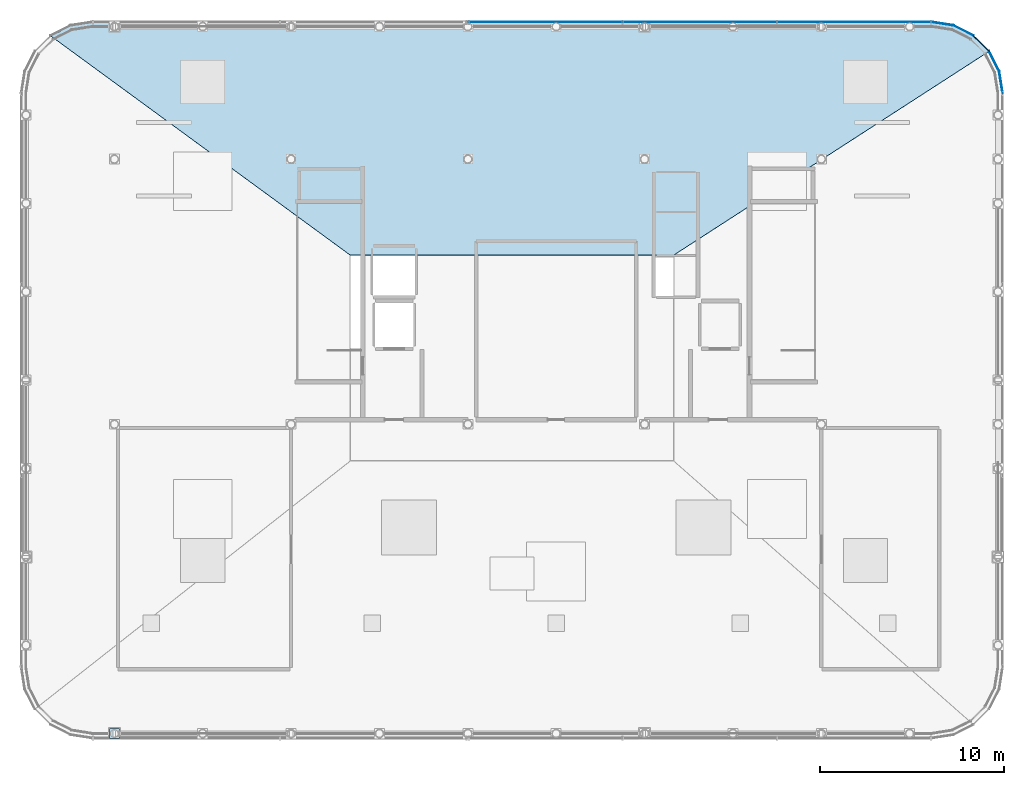
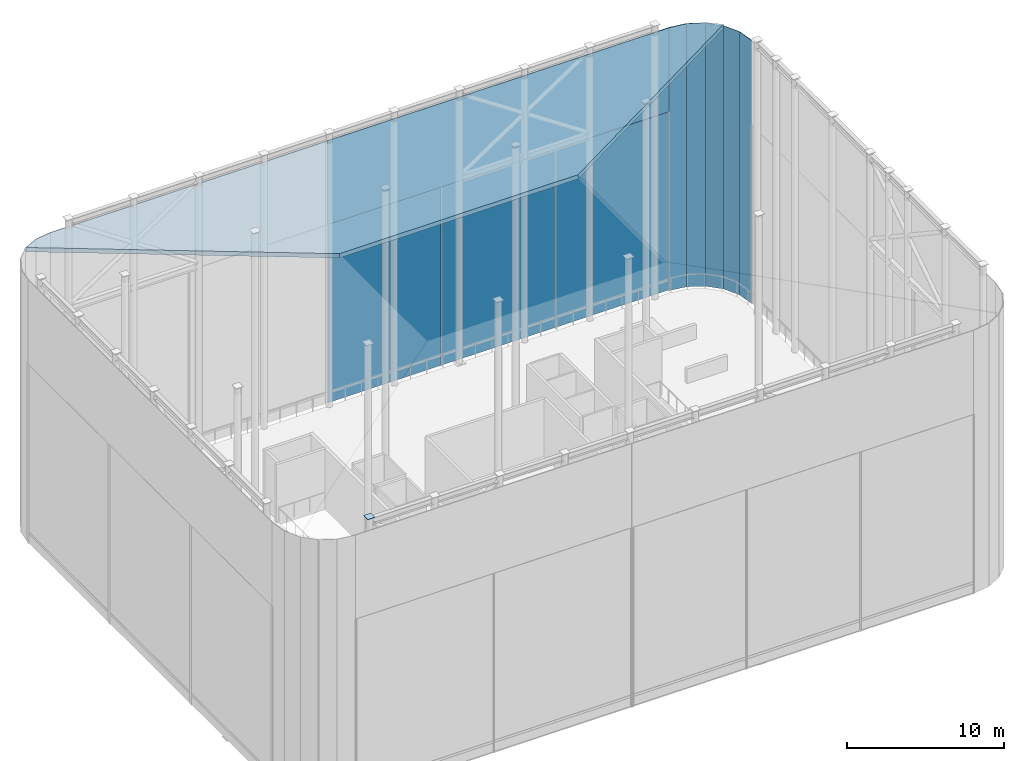
# One storey, part 36 of 42: 10 plates, 1 slab, 1 element without a shape of its own.
"""IFC4 building model written with IfcOpenShell, lengths in metres."""

from ifc_helpers import new_model, si_unit, direction, frame, origin, origin_2d, place, context, subcontext, project, spatial, polyline, rectangle, outline, extrude, material, layer, layer_set, type_object, element, aggregate, save


model = new_model("IFC4")

# Units and contexts
model_context = context("Model", 3, precision=1e-05, world=origin(), true_north=direction((0.0, 1.0)))
body_context = subcontext(model_context, "Body", "Model", "MODEL_VIEW")
ifc_project = project(units=[si_unit("LENGTHUNIT", "METRE"), si_unit("AREAUNIT", "SQUARE_METRE"), si_unit("VOLUMEUNIT", "CUBIC_METRE"), si_unit("PLANEANGLEUNIT", "RADIAN"), si_unit("MASSUNIT", "GRAM", prefix="KILO")], contexts=[model_context])

# Site, building, storey
site_placement = place(None, origin())
site = spatial("IfcSite", under=ifc_project, at=site_placement, CompositionType="ELEMENT")
building_placement = place(site_placement, origin())
building = spatial("IfcBuilding", under=site, at=building_placement, Name="Kallvorn Hotel Tower", CompositionType="ELEMENT")
storey_placement = place(building_placement, frame((0.0, 0.0, 306.0)))
storey = spatial("IfcBuildingStorey", under=building, at=storey_placement, Name="ROOF", CompositionType="ELEMENT", Elevation=306.0)

# Curtain wall, plates
ifc_material_1 = material(Name="Thermally broken black-anodised aluminium AA 6063-T6", Category="aluminium")
ifc_layer_1 = layer(ifc_material_1, 0.18994140625)
ifc_layer_set_1 = layer_set([ifc_layer_1], Name="CW_SYS_7_CROWN_DRUM")
curtain_wall_type = type_object("IfcCurtainWallType", Name="CW_SYS_7_CROWN_DRUM", PredefinedType="USERDEFINED", material=ifc_layer_set_1)
curtain_wall_placement = place(storey_placement, origin())
curtain_wall = element("IfcCurtainWall", 1, at=curtain_wall_placement, inside=storey, type_object=curtain_wall_type, Name="ROOF Dark-Glass Curtain Wall CW-ROOF-N2", ObjectType="UNITISED CURTAIN WALL", PredefinedType="USERDEFINED")
ifc_material_2 = material(Name="Double-glazed low-e solar-control dark glass", Category="glass")
ifc_layer_2 = layer(ifc_material_2, 0.0341796875)
ifc_layer_set_2 = layer_set([ifc_layer_2], Name="CW_SYS_7_CROWN_DRUM_PANEL")
plate_type_1 = type_object("IfcPlateType", Name="CW_SYS_7_CROWN_DRUM_PANEL", PredefinedType="CURTAIN_PANEL", material=ifc_layer_set_2)
plate_1_placement = place(storey_placement, frame((-0.58349609375, 14.64990234375, 0.06005859375), z_axis=(0.0, 0.0, 1.0), x_axis=(1.0, 0.0, 0.0)))
plate_1 = element("IfcPlate", 2, at=plate_1_placement, type_object=plate_type_1, Name="CW-ROOF-N2 Vision Glass Panel 00", PredefinedType="CURTAIN_PANEL", context=body_context, shape_type="SweptSolid", body=[
    extrude(rectangle(XDim=8.333251953125, YDim=0.0341796875, at=origin_2d()), origin(), (0.0, 0.0, 1.0), 13.8798828125),
])
plate_2_placement = place(storey_placement, frame((7.81005859375, 14.64990234375, 0.06005859375), z_axis=(0.0, 0.0, 1.0), x_axis=(1.0, 0.0, 0.0)))
plate_2 = element("IfcPlate", 3, at=plate_2_placement, type_object=plate_type_1, Name="CW-ROOF-N2 Vision Glass Panel 01", PredefinedType="CURTAIN_PANEL", context=body_context, shape_type="SweptSolid", body=[
    extrude(rectangle(XDim=8.33349609375, YDim=0.0341796875, at=origin_2d()), origin(), (0.0, 0.0, 1.0), 13.8798828125),
])
plate_3_placement = place(storey_placement, frame((16.203369140625, 14.64990234375, 0.06005859375), z_axis=(0.0, 0.0, 1.0), x_axis=(1.0, 0.0, 0.0)))
plate_3 = element("IfcPlate", 4, at=plate_3_placement, type_object=plate_type_1, Name="CW-ROOF-N2 Vision Glass Panel 02", PredefinedType="CURTAIN_PANEL", context=body_context, shape_type="SweptSolid", body=[
    extrude(rectangle(XDim=8.333251953125, YDim=0.0341796875, at=origin_2d()), origin(), (0.0, 0.0, 1.0), 13.8798828125),
])
aggregate(curtain_wall, [plate_1, plate_2, plate_3])

# Plates
ifc_material_3 = material(Name="Structural steel S355JR", Category="steel")
ifc_layer_3 = layer(ifc_material_3, 0.030029296875)
ifc_layer_set_3 = layer_set([ifc_layer_3], Name="PLT_CAP_30")
plate_type_2 = type_object("IfcPlateType", Name="PLT_CAP_30", PredefinedType="SHEET", material=ifc_layer_set_3)
plate_4_placement = place(storey_placement, frame((-24.0, -24.0, 21.35986328125), z_axis=(0.0, 0.0, 1.0), x_axis=(1.0, 0.0, 0.0)))
element("IfcPlate", 5, at=plate_4_placement, inside=storey, type_object=plate_type_2, Name="CROWN FRAME Column Top Cap Plate 08", PredefinedType="SHEET", context=body_context, shape_type="SweptSolid", body=[
    extrude(rectangle(XDim=0.5400390625, YDim=0.5400390625, at=origin_2d()), origin(), (0.0, 0.0, 1.0), 0.030029296875),
])
ifc_material_4 = material(Name="Perforated black-anodised aluminium acoustic louvre screen", Category="aluminium")
ifc_layer_4 = layer(ifc_material_4, 0.0400390625)
ifc_layer_set_4 = layer_set([ifc_layer_4], Name="PLT_CROWN_LOUVRE")
plate_type_3 = type_object("IfcPlateType", Name="PLT_CROWN_LOUVRE", PredefinedType="SHEET", material=ifc_layer_set_4)
plate_5_placement = place(storey_placement, frame((7.81005859375, 14.64990234375, 13.9599609375), z_axis=(0.0, 0.0, 1.0), x_axis=(1.0, 0.0, 0.0)))
element("IfcPlate", 6, at=plate_5_placement, inside=storey, type_object=plate_type_3, Name="Crown Ring Acoustic Louvre Screen N2", PredefinedType="SHEET", context=body_context, shape_type="SweptSolid", body=[
    extrude(rectangle(XDim=25.179931640625, YDim=0.0400390625, at=origin_2d()), origin(), (0.0, 0.0, 1.0), 6.5400390625),
])
for number, where, z_axis, x_axis, name in (
    (7, (24.15576171875, 11.39501953125, 0.0), (0.0, 0.0, 1.0), (-0.15643446504, 0.987688340595, 0.0), "Crown Ring Rounded Corner Cladding NE1"),
    (8, (23.7880859375, 12.5263671875, 0.0), (0.0, 0.0, 1.0), (-0.45399049974, 0.891006524188, 0.0), "Crown Ring Rounded Corner Cladding NE2"),
    (9, (23.0888671875, 13.48876953125, 0.0), (0.0, 0.0, 1.0), (-0.707106781187, 0.707106781187, 0.0), "Crown Ring Rounded Corner Cladding NE3"),
    (10, (22.126220703125, 14.18798828125, 0.0), (0.0, 0.0, 1.0), (-0.891006524188, 0.45399049974, 0.0), "Crown Ring Rounded Corner Cladding NE4"),
    (11, (20.994873046875, 14.555908203125, 0.0), (0.0, 0.0, 1.0), (-0.987688340595, 0.15643446504, 0.0), "Crown Ring Rounded Corner Cladding NE5"),
):
    element("IfcPlate", number, at=place(storey_placement, frame(where, z_axis=z_axis, x_axis=x_axis)), inside=storey, type_object=plate_type_3, Name=name, PredefinedType="SHEET", context=body_context, shape_type="SweptSolid", body=[
        extrude(rectangle(XDim=1.244384765625, YDim=0.0400390625, at=origin_2d()), origin(), (0.0, 0.0, 1.0), 20.5),
    ])

# Slab
ifc_material_5 = material(Name="Concrete C40/50", Category="concrete")
ifc_layer_5 = layer(ifc_material_5, 0.320068359375)
ifc_layer_set_5 = layer_set([ifc_layer_5], Name="SLB_CROWN_CAP_320")
slab_type = type_object("IfcSlabType", Name="SLB_CROWN_CAP_320", PredefinedType="ROOF", material=ifc_layer_set_5)
slab_placement = place(storey_placement, frame((23.490478515625, 13.04541015625, 20.63720703125), z_axis=(-8.51718e-07, 0.086837531652, 0.996222486745), x_axis=(-0.705866966829, 0.705668592839, -0.061511480398)))
element("IfcSlab", 12, at=slab_placement, inside=storey, type_object=slab_type, Name="Crown Ring Sloped Cap Roof Slab N", PredefinedType="ROOF", context=body_context, shape_type="SweptSolid", body=[
    extrude(outline(polyline([(0.0, 0.0), (1.19741379542401, 1.0581813203458523e-16), (2.3350028351956333, 0.3698128645575856), (3.3011967306834373, 1.0734473530939295), (35.48862701959049, 33.37384939458093), (36.18887198377883, 34.34250264886721), (36.554696864567156, 35.48138040151587), (16.633200511404674, 32.39893202730983), (4.2100452937011, 19.932173899870392), (0.0, 0.0)])), origin(), (0.0, 0.0, -1.0), 0.320068359375),
])

save(model, "model.ifc")
